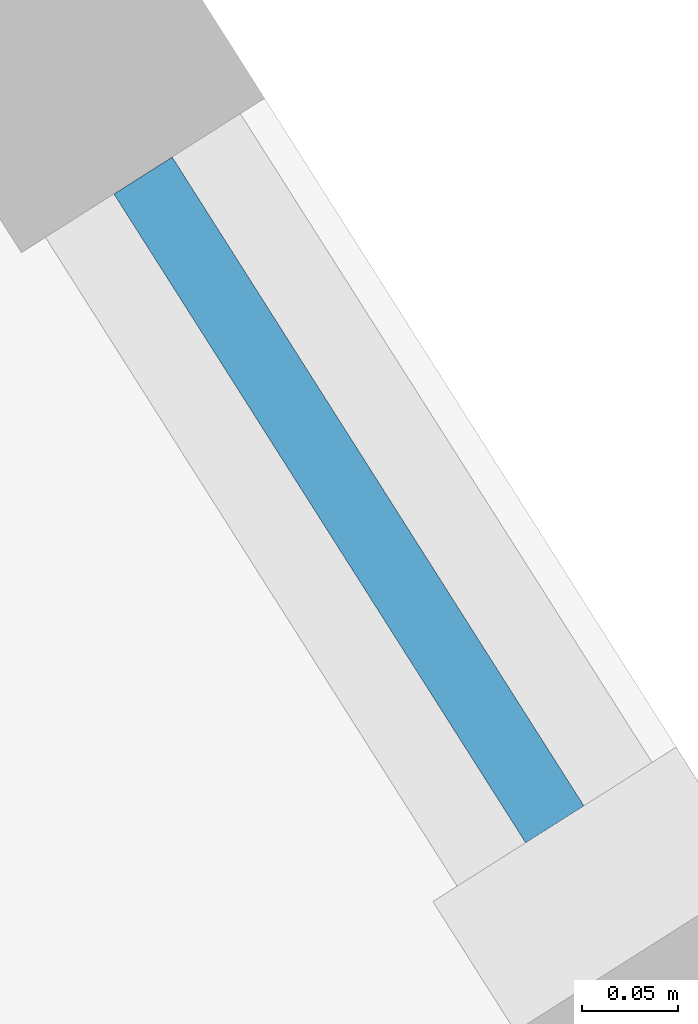
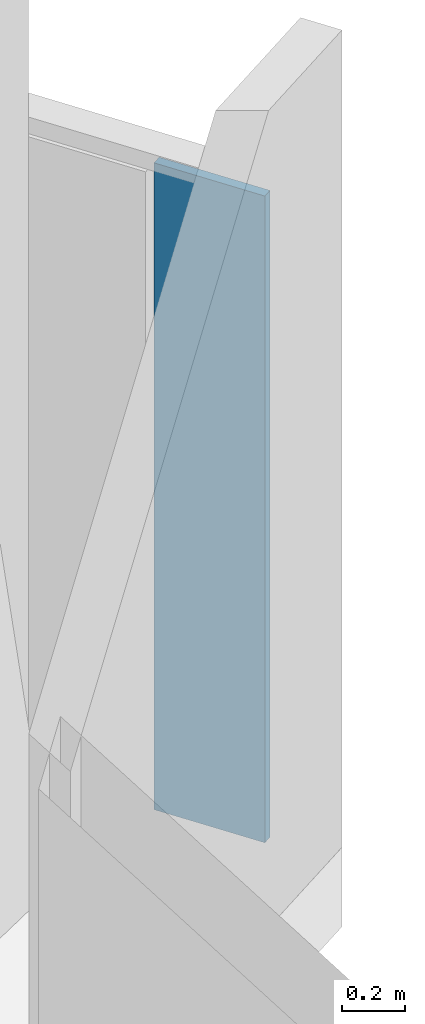
# One storey, part 14 of 23: 1 plate, 1 element without a shape of its own.
"""IFC4 building model written with IfcOpenShell, lengths in metres."""

from ifc_helpers import new_model, si_unit, direction, frame, origin, origin_2d, place, context, subcontext, project, spatial, rectangle, extrude, material, layer, layer_set, type_object, element, aggregate, save


model = new_model("IFC4")

# Units and contexts
model_context = context("Model", 3, precision=1e-05, world=origin(), true_north=direction((0.0, 1.0)))
body_context = subcontext(model_context, "Body", "Model", "MODEL_VIEW")
ifc_project = project(units=[si_unit("LENGTHUNIT", "METRE"), si_unit("AREAUNIT", "SQUARE_METRE"), si_unit("VOLUMEUNIT", "CUBIC_METRE"), si_unit("PLANEANGLEUNIT", "RADIAN"), si_unit("MASSUNIT", "GRAM", prefix="KILO")], contexts=[model_context])

# Site, building, storey
site_placement = place(None, origin())
site = spatial("IfcSite", under=ifc_project, at=site_placement, CompositionType="ELEMENT")
building_placement = place(site_placement, origin())
building = spatial("IfcBuilding", under=site, at=building_placement, Name="Verdalira Terraces Hotel", CompositionType="ELEMENT")
storey_placement = place(building_placement, frame((0.0, 0.0, 288.0)))
storey = spatial("IfcBuildingStorey", under=building, at=storey_placement, Name="L71", CompositionType="ELEMENT", Elevation=288.0)

# Curtain wall, plate
ifc_material_1 = material(Name="Clear glass", Category="glass")
ifc_layer_1 = layer(ifc_material_1, 0.14990234375)
ifc_layer_set_1 = layer_set([ifc_layer_1], Name="CW3 curtain wall")
curtain_wall_type = type_object("IfcCurtainWallType", Name="CW3 curtain wall", PredefinedType="NOTDEFINED", material=ifc_layer_set_1)
curtain_wall_placement = place(storey_placement, origin())
curtain_wall = element("IfcCurtainWall", 1, at=curtain_wall_placement, inside=storey, type_object=curtain_wall_type, Name="CW3 curtain wall L71 edge 33", PredefinedType="NOTDEFINED")
ifc_material_2 = material(Name="Clear glass", Category="glass")
ifc_layer_2 = layer(ifc_material_2, 0.035888671875)
ifc_layer_set_2 = layer_set([ifc_layer_2], Name="CW3 glass unit 36")
plate_type = type_object("IfcPlateType", Name="CW3 glass unit 36", PredefinedType="CURTAIN_PANEL", material=ifc_layer_set_2)
plate_placement = place(storey_placement, frame((37.693604, 20.995605, 0.0), z_axis=(0.0, 0.0, 1.0), x_axis=(-0.535826795, 0.844327926, 0.0)))
plate = element("IfcPlate", 2, at=plate_placement, type_object=plate_type, Name="CW3 glass unit", PredefinedType="CURTAIN_PANEL", context=body_context, shape_type="SweptSolid", body=[
    extrude(rectangle(XDim=0.399902, YDim=0.035889, at=origin_2d()), origin(), (0.0, 0.0, 1.0), 2.524902),
])
aggregate(curtain_wall, [plate])

save(model, "model.ifc")
